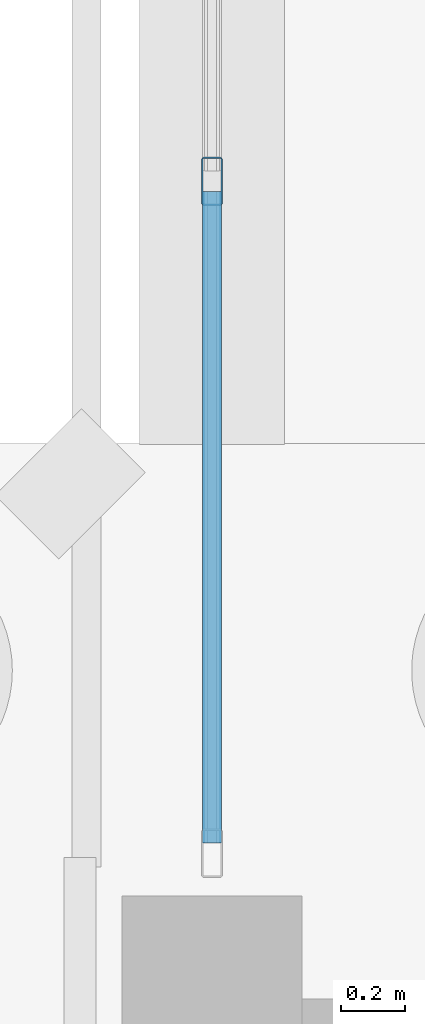
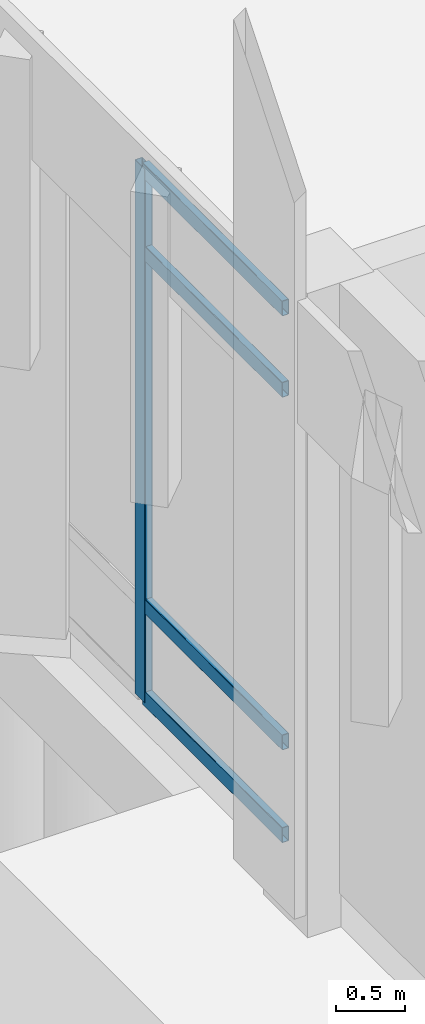
# One storey, part 36 of 109: 5 members, 1 element without a shape of its own.
"""IFC4 building model written with IfcOpenShell, lengths in metres."""

from ifc_helpers import new_model, si_unit, direction, frame, origin, origin_2d, place, context, subcontext, project, spatial, hollow_rectangle, extrude, material, material_profile, profile_set, type_object, element, aggregate, save


model = new_model("IFC4")

# Units and contexts
model_context = context("Model", 3, precision=1e-05, world=origin(), true_north=direction((0.0, 1.0)))
body_context = subcontext(model_context, "Body", "Model", "MODEL_VIEW")
ifc_project = project(units=[si_unit("LENGTHUNIT", "METRE"), si_unit("AREAUNIT", "SQUARE_METRE"), si_unit("VOLUMEUNIT", "CUBIC_METRE"), si_unit("PLANEANGLEUNIT", "RADIAN"), si_unit("MASSUNIT", "GRAM", prefix="KILO")], contexts=[model_context])

# Site, building, storey
site_placement = place(None, origin())
site = spatial("IfcSite", under=ifc_project, at=site_placement, CompositionType="ELEMENT")
building_placement = place(site_placement, origin())
building = spatial("IfcBuilding", under=site, at=building_placement, Name="Lusvemor Sports Hall", CompositionType="ELEMENT")
storey_placement = place(building_placement, origin())
storey = spatial("IfcBuildingStorey", under=building, at=storey_placement, Name="L00", CompositionType="ELEMENT", Elevation=0.0)

# Curtain wall, members
ifc_material_1 = material(Name="Thermally broken bronze-anodized aluminium", Category="aluminium")
curtain_wall_type = type_object("IfcCurtainWallType", Name="CW_WING_B", PredefinedType="NOTDEFINED", material=ifc_material_1)
curtain_wall_placement = place(storey_placement, origin())
curtain_wall = element("IfcCurtainWall", 1, at=curtain_wall_placement, inside=storey, type_object=curtain_wall_type, Name="Curtain Wall CW-L00-W-0-4", PredefinedType="NOTDEFINED")
ifc_material_2 = material(Name="Thermally broken bronze-anodized aluminium", Category="aluminium")
ifc_material_profile_1 = material_profile(ifc_material_2, hollow_rectangle(XDim=0.06494140625, YDim=0.14990234375, WallThickness=0.00390625, InnerFilletRadius=0.00390625, OuterFilletRadius=0.008056640625, at=origin_2d()), Name="CWMUL150x65x4")
ifc_profile_set_1 = profile_set([ifc_material_profile_1], Name="Thermally broken bronze-anodized aluminium")
member_type_1 = type_object("IfcMemberType", Name="CW_MUL_B", PredefinedType="MULLION", material=ifc_profile_set_1)
member_1_placement = place(storey_placement, frame((0.0, 78.139892578125, 0.0), z_axis=(0.0, 0.0, 1.0), x_axis=(-1.0, 0.0, 0.0)))
member_1 = element("IfcMember", 2, at=member_1_placement, type_object=member_type_1, Name="CW02 mullion 2", PredefinedType="MULLION", context=body_context, shape_type="SweptSolid", body=[
    extrude(hollow_rectangle(XDim=0.06494140625, YDim=0.14990234375, WallThickness=0.00390625, InnerFilletRadius=0.00390625, OuterFilletRadius=0.008056640625, at=origin_2d()), origin(), (0.0, 0.0, 1.0), 4.719970703125),
])
ifc_material_3 = material(Name="Thermally broken bronze-anodized aluminium", Category="aluminium")
ifc_material_profile_2 = material_profile(ifc_material_3, hollow_rectangle(XDim=0.06005859375, YDim=0.135009765625, WallThickness=0.00390625, InnerFilletRadius=0.00390625, OuterFilletRadius=0.008056640625, at=origin_2d()), Name="CWTRN135x60x4")
ifc_profile_set_2 = profile_set([ifc_material_profile_2], Name="Thermally broken bronze-anodized aluminium")
member_type_2 = type_object("IfcMemberType", Name="CW_TRN_B", PredefinedType="USERDEFINED", material=ifc_profile_set_2)
member_2_placement = place(storey_placement, frame((0.0, 76.0849609375, 0.030029296875), z_axis=(0.0, 1.0, 0.0), x_axis=(-1.0, 0.0, 0.0)))
member_2 = element("IfcMember", 3, at=member_2_placement, type_object=member_type_2, Name="CW02 transom 1.1", ObjectType="TRANSOM", PredefinedType="USERDEFINED", context=body_context, shape_type="SweptSolid", body=[
    extrude(hollow_rectangle(XDim=0.06005859375, YDim=0.135009765625, WallThickness=0.00390625, InnerFilletRadius=0.00390625, OuterFilletRadius=0.008056640625, at=origin_2d()), origin(), (0.0, 0.0, 1.0), 2.0224609375),
])
member_3_placement = place(storey_placement, frame((0.0, 76.0849609375, 0.85009765625), z_axis=(0.0, 1.0, 0.0), x_axis=(-1.0, 0.0, 0.0)))
member_3 = element("IfcMember", 4, at=member_3_placement, type_object=member_type_2, Name="CW02 transom 1.2", ObjectType="TRANSOM", PredefinedType="USERDEFINED", context=body_context, shape_type="SweptSolid", body=[
    extrude(hollow_rectangle(XDim=0.06005859375, YDim=0.135009765625, WallThickness=0.00390625, InnerFilletRadius=0.00390625, OuterFilletRadius=0.008056640625, at=origin_2d()), origin(), (0.0, 0.0, 1.0), 2.0224609375),
])
member_4_placement = place(storey_placement, frame((0.0, 76.0849609375, 3.969970703125), z_axis=(0.0, 1.0, 0.0), x_axis=(-1.0, 0.0, 0.0)))
member_4 = element("IfcMember", 5, at=member_4_placement, type_object=member_type_2, Name="CW02 transom 1.3", ObjectType="TRANSOM", PredefinedType="USERDEFINED", context=body_context, shape_type="SweptSolid", body=[
    extrude(hollow_rectangle(XDim=0.06005859375, YDim=0.135009765625, WallThickness=0.00390625, InnerFilletRadius=0.00390625, OuterFilletRadius=0.008056640625, at=origin_2d()), origin(), (0.0, 0.0, 1.0), 2.0224609375),
])
member_5_placement = place(storey_placement, frame((0.0, 76.0849609375, 4.68994140625), z_axis=(0.0, 1.0, 0.0), x_axis=(-1.0, 0.0, 0.0)))
member_5 = element("IfcMember", 6, at=member_5_placement, type_object=member_type_2, Name="CW02 transom 1.4", ObjectType="TRANSOM", PredefinedType="USERDEFINED", context=body_context, shape_type="SweptSolid", body=[
    extrude(hollow_rectangle(XDim=0.06005859375, YDim=0.135009765625, WallThickness=0.00390625, InnerFilletRadius=0.00390625, OuterFilletRadius=0.008056640625, at=origin_2d()), origin(), (0.0, 0.0, 1.0), 2.0224609375),
])
aggregate(curtain_wall, [member_1, member_2, member_3, member_4, member_5])

save(model, "model.ifc")
